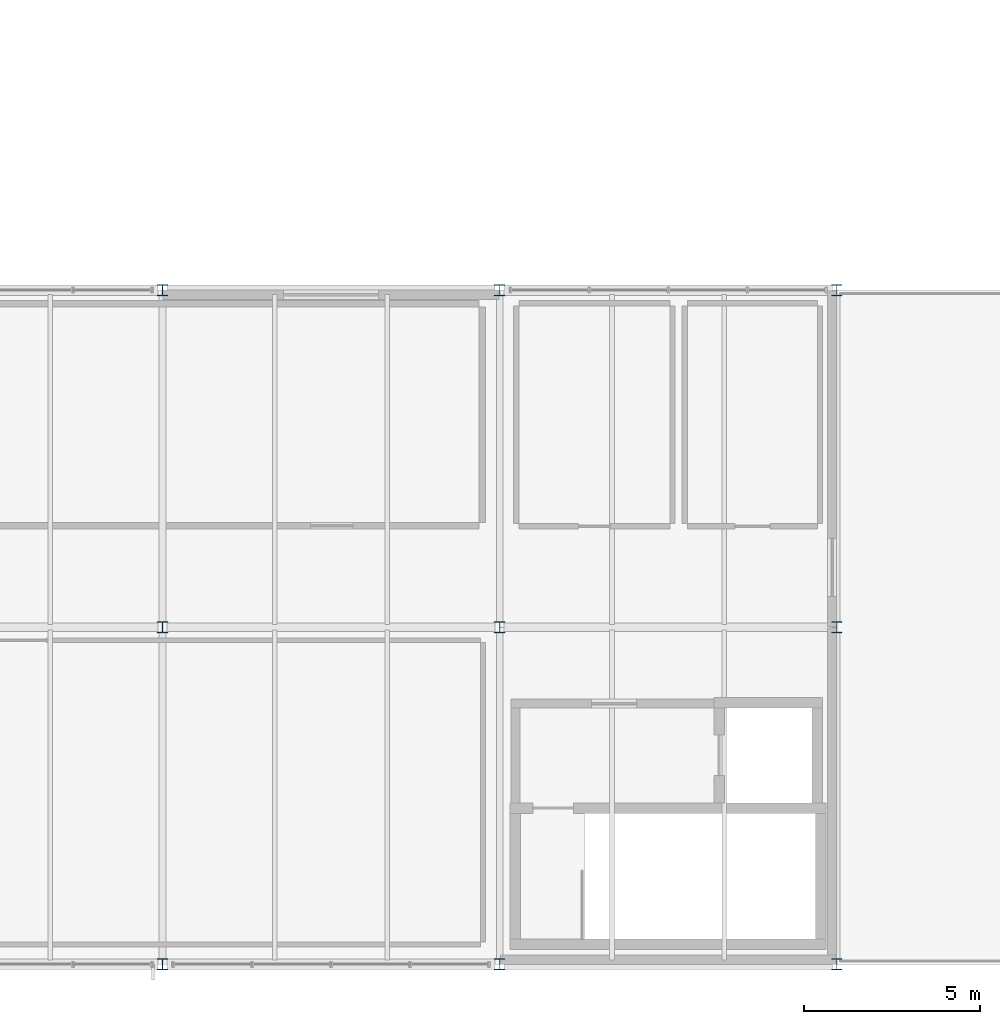
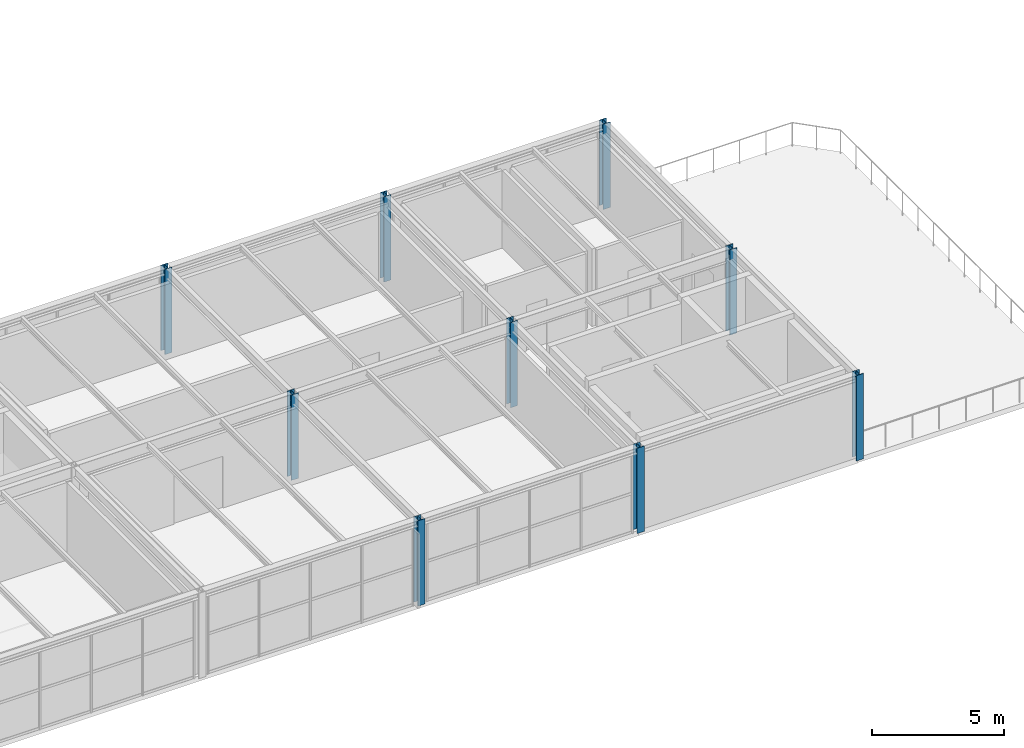
# One storey, part 4 of 50: 9 columns.
"""IFC4 building model written with IfcOpenShell, lengths in metres."""

from ifc_helpers import new_model, si_unit, direction, frame, origin, origin_2d, place, context, subcontext, project, spatial, i_section, extrude, material, material_profile, profile_set, type_object, element, save


model = new_model("IFC4")

# Units and contexts
model_context = context("Model", 3, precision=1e-05, world=origin(), true_north=direction((0.0, 1.0)))
body_context = subcontext(model_context, "Body", "Model", "MODEL_VIEW")
ifc_project = project(units=[si_unit("LENGTHUNIT", "METRE"), si_unit("AREAUNIT", "SQUARE_METRE"), si_unit("VOLUMEUNIT", "CUBIC_METRE"), si_unit("PLANEANGLEUNIT", "RADIAN"), si_unit("MASSUNIT", "GRAM", prefix="KILO")], contexts=[model_context])

# Site, building, storey
site_placement = place(None, origin())
site = spatial("IfcSite", under=ifc_project, at=site_placement, CompositionType="ELEMENT")
building_placement = place(site_placement, origin())
building = spatial("IfcBuilding", under=site, at=building_placement, Name="Coralgate Yard Interchange", CompositionType="ELEMENT")
storey_placement = place(building_placement, frame((0.0, 0.0, 14.699951171875)))
storey = spatial("IfcBuildingStorey", under=building, at=storey_placement, Name="L03", CompositionType="ELEMENT", Elevation=14.699951171875)

# Columns
ifc_material = material(Name="Structural steel S355J2", Category="steel")
ifc_material_profile = material_profile(ifc_material, i_section(OverallWidth=0.311279296875, OverallDepth=0.3271484375, WebThickness=0.015869140625, FlangeThickness=0.02490234375, FilletRadius=0.01513671875, at=origin_2d()), Name="UC 305x305x158")
ifc_profile_set = profile_set([ifc_material_profile], Name="Structural steel S355J2")
column_type = type_object("IfcColumnType", Name="COL-SC-5", PredefinedType="COLUMN", material=ifc_profile_set)
for number, where, z_axis, x_axis, name in (
    (1, (67.199951171875, 0.0, 0.0), (0.0, 0.0, 1.0), (1.0, 0.0, 0.0), "L03 structural column 7-0"),
    (2, (67.199951171875, 9.60009765625, 0.0), (0.0, 0.0, 1.0), (1.0, 0.0, 0.0), "L03 structural column 7-1"),
    (3, (67.199951171875, 19.199951171875, 0.0), (0.0, 0.0, 1.0), (1.0, 0.0, 0.0), "L03 structural column 7-2"),
    (4, (76.800048828125, 0.0, 0.0), (0.0, 0.0, 1.0), (1.0, 0.0, 0.0), "L03 structural column 8-0"),
    (5, (76.800048828125, 9.60009765625, 0.0), (0.0, 0.0, 1.0), (1.0, 0.0, 0.0), "L03 structural column 8-1"),
    (6, (76.800048828125, 19.199951171875, 0.0), (0.0, 0.0, 1.0), (1.0, 0.0, 0.0), "L03 structural column 8-2"),
    (7, (86.39990234375, 0.0, 0.0), (0.0, 0.0, 1.0), (1.0, 0.0, 0.0), "L03 structural column 9-0"),
    (8, (86.39990234375, 9.60009765625, 0.0), (0.0, 0.0, 1.0), (1.0, 0.0, 0.0), "L03 structural column 9-1"),
    (9, (86.39990234375, 19.199951171875, 0.0), (0.0, 0.0, 1.0), (1.0, 0.0, 0.0), "L03 structural column 9-2"),
):
    element("IfcColumn", number, at=place(storey_placement, frame(where, z_axis=z_axis, x_axis=x_axis)), inside=storey, type_object=column_type, Name=name, PredefinedType="COLUMN", context=body_context, shape_type="SweptSolid", body=[
        extrude(i_section(OverallWidth=0.311279296875, OverallDepth=0.3271484375, WebThickness=0.015869140625, FlangeThickness=0.02490234375, FilletRadius=0.01513671875, at=origin_2d()), origin(), (0.0, 0.0, 1.0), 3.949951171875),
    ])

save(model, "model.ifc")
